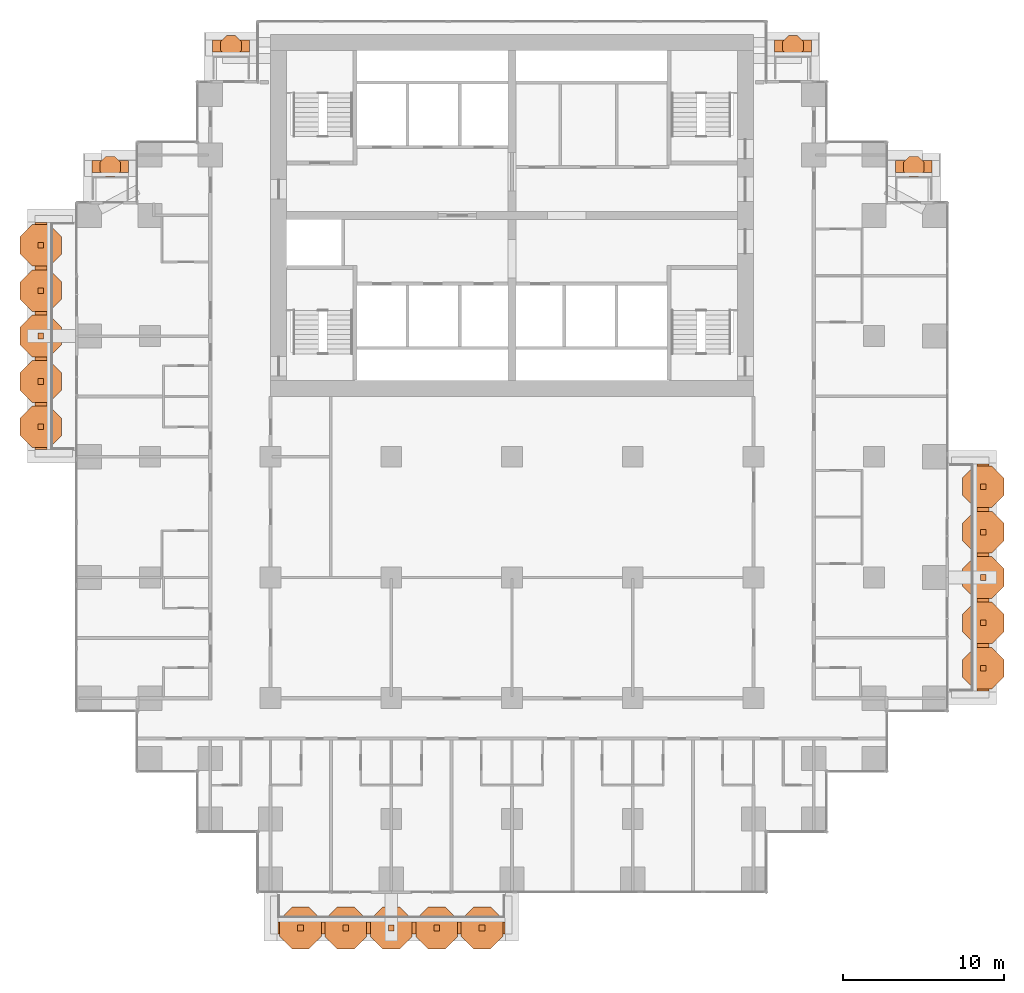
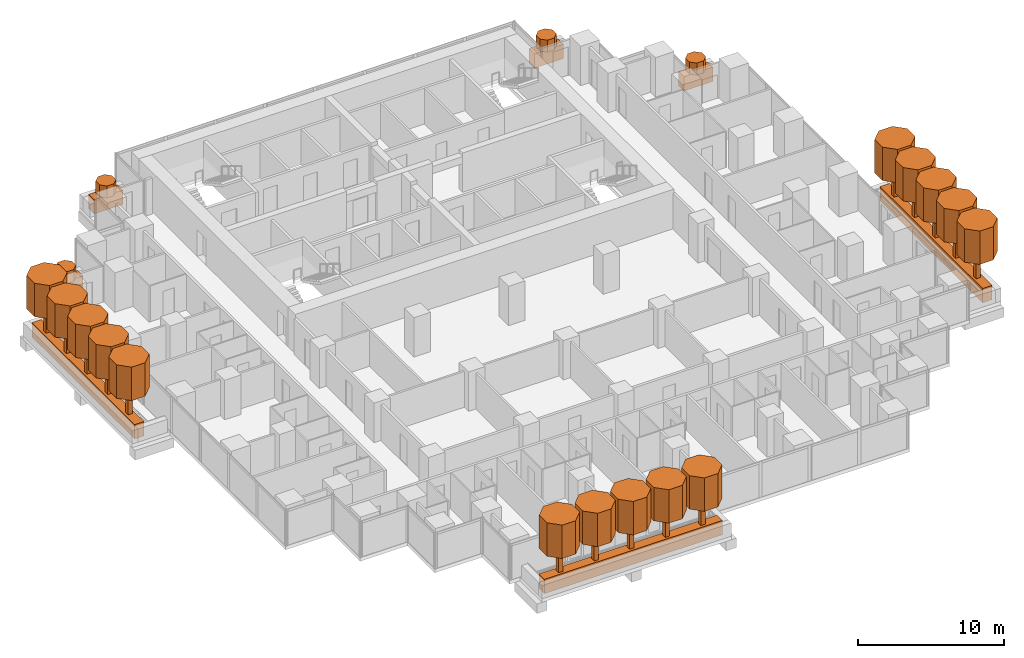
# One storey, part 19 of 19: 41 geographic elements.
"""IFC4 building model written with IfcOpenShell, lengths in metres."""

from ifc_helpers import new_model, si_unit, direction, frame, origin, origin_2d, place, context, subcontext, project, spatial, polyline, rectangle, outline, extrude, material, material_profile, profile_set, type_object, element, save


model = new_model("IFC4")

# Units and contexts
model_context = context("Model", 3, precision=1e-05, world=origin(), true_north=direction((0.0, 1.0)))
body_context = subcontext(model_context, "Body", "Model", "MODEL_VIEW")
ifc_project = project(units=[si_unit("LENGTHUNIT", "METRE"), si_unit("AREAUNIT", "SQUARE_METRE"), si_unit("VOLUMEUNIT", "CUBIC_METRE"), si_unit("PLANEANGLEUNIT", "RADIAN"), si_unit("MASSUNIT", "GRAM", prefix="KILO")], contexts=[model_context])

# Site, building, storey
site_placement = place(None, origin())
site = spatial("IfcSite", under=ifc_project, at=site_placement, CompositionType="ELEMENT")
building_placement = place(site_placement, origin())
building = spatial("IfcBuilding", under=site, at=building_placement, Name="Pilkhan Gate Tower", CompositionType="ELEMENT")
storey_placement = place(building_placement, frame((0.0, 0.0, 89.0)))
storey = spatial("IfcBuildingStorey", under=building, at=storey_placement, Name="L21", CompositionType="ELEMENT", Elevation=89.0)

# Geographic elements
ifc_material_1 = material(Name="Foliage")
ifc_material_profile_1 = material_profile(ifc_material_1, rectangle(XDim=0.75, YDim=1.199951171875, at=origin_2d()), Name="Bed 750x1200")
ifc_profile_set_1 = profile_set([ifc_material_profile_1], Name="Foliage")
geographic_element_type_1 = type_object("IfcGeographicElementType", Name="Planting bed PB1", PredefinedType="USERDEFINED", material=ifc_profile_set_1)
for number, where, z_axis, x_axis, name in (
    (1, (60.449951171875, 38.22509765625, 0.60009765625), (1.0, 0.0, 0.0), (0.0, 1.0, 0.0), "Balcony L21 S planting bed"),
    (2, (104.27490234375, 52.949951171875, 0.60009765625), (0.0, 1.0, 0.0), (-1.0, 0.0, 0.0), "Balcony L21 E planting bed"),
):
    element("IfcGeographicElement", number, at=place(storey_placement, frame(where, z_axis=z_axis, x_axis=x_axis)), inside=storey, type_object=geographic_element_type_1, Name=name, ObjectType="PLANTING BED", PredefinedType="USERDEFINED", context=body_context, shape_type="SweptSolid", body=[
        extrude(rectangle(XDim=0.75, YDim=1.199951171875, at=origin_2d()), origin(), (0.0, 0.0, 1.0), 14.10009765625),
    ])
for number, where, z_axis, x_axis, name in (
    (3, (56.39990234375, 93.02490234375, 0.60009765625), (1.0, 0.0, 0.0), (0.0, 1.0, 0.0), "Balcony L21 N planting bed"),
    (4, (91.300048828125, 93.02490234375, 0.60009765625), (1.0, 0.0, 0.0), (0.0, 1.0, 0.0), "Balcony L21 N planting bed"),
):
    element("IfcGeographicElement", number, at=place(storey_placement, frame(where, z_axis=z_axis, x_axis=x_axis)), inside=storey, type_object=geographic_element_type_1, Name=name, ObjectType="PLANTING BED", PredefinedType="USERDEFINED", context=body_context, shape_type="SweptSolid", body=[
        extrude(rectangle(XDim=0.75, YDim=1.199951171875, at=origin_2d()), origin(), (0.0, 0.0, 1.0), 2.300048828125),
    ])
for number, where, z_axis, x_axis, name in (
    (5, (48.89990234375, 85.52490234375, 0.60009765625), (1.0, 0.0, 0.0), (0.0, 1.0, 0.0), "Balcony L21 N planting bed"),
    (6, (98.820068359375, 85.52490234375, 0.60009765625), (1.0, 0.0, 0.0), (0.0, 1.0, 0.0), "Balcony L21 N planting bed"),
):
    element("IfcGeographicElement", number, at=place(storey_placement, frame(where, z_axis=z_axis, x_axis=x_axis)), inside=storey, type_object=geographic_element_type_1, Name=name, ObjectType="PLANTING BED", PredefinedType="USERDEFINED", context=body_context, shape_type="SweptSolid", body=[
        extrude(rectangle(XDim=0.75, YDim=1.199951171875, at=origin_2d()), origin(), (0.0, 0.0, 1.0), 2.280029296875),
    ])
geographic_element_placement = place(storey_placement, frame((45.72509765625, 67.949951171875, 0.60009765625), z_axis=(0.0, 1.0, 0.0), x_axis=(-1.0, 0.0, 0.0)))
element("IfcGeographicElement", 7, at=geographic_element_placement, inside=storey, type_object=geographic_element_type_1, Name="Balcony L21 W planting bed", ObjectType="PLANTING BED", PredefinedType="USERDEFINED", context=body_context, shape_type="SweptSolid", body=[
    extrude(rectangle(XDim=0.75, YDim=1.199951171875, at=origin_2d()), origin(), (0.0, 0.0, 1.0), 14.10009765625),
])
ifc_material_profile_2 = material_profile(ifc_material_1, outline(polyline([(0.646728515625, 0.267822265625), (0.267822265625, 0.646728515625), (-0.267822265625, 0.646728515625), (-0.646728515625, 0.267822265625), (-0.646728515625, -0.267822265625), (-0.267822265625, -0.646728515625), (0.267822265625, -0.646728515625), (0.646728515625, -0.267822265625), (0.646728515625, 0.267822265625)])), Name="Shrub D1.4")
ifc_profile_set_2 = profile_set([ifc_material_profile_2], Name="Foliage")
geographic_element_type_2 = type_object("IfcGeographicElementType", Name="Shrub SH07", PredefinedType="USERDEFINED", material=ifc_profile_set_2)
for number, where, z_axis, x_axis, name in (
    (8, (57.550048828125, 93.02490234375, 1.199951171875), (0.0, 0.0, 1.0), (1.0, 0.0, 0.0), "Shrub L21 N 1"),
    (9, (92.449951171875, 93.02490234375, 1.199951171875), (0.0, 0.0, 1.0), (1.0, 0.0, 0.0), "Shrub L21 N 1"),
    (10, (50.0400390625, 85.52490234375, 1.199951171875), (0.0, 0.0, 1.0), (1.0, 0.0, 0.0), "Shrub L21 N 1"),
    (11, (99.9599609375, 85.52490234375, 1.199951171875), (0.0, 0.0, 1.0), (1.0, 0.0, 0.0), "Shrub L21 N 1"),
):
    element("IfcGeographicElement", number, at=place(storey_placement, frame(where, z_axis=z_axis, x_axis=x_axis)), inside=storey, type_object=geographic_element_type_2, Name=name, ObjectType="SHRUB", PredefinedType="USERDEFINED", context=body_context, shape_type="SweptSolid", body=[
        extrude(outline(polyline([(0.646728515625, 0.267822265625), (0.267822265625, 0.646728515625), (-0.267822265625, 0.646728515625), (-0.646728515625, 0.267822265625), (-0.646728515625, -0.267822265625), (-0.267822265625, -0.646728515625), (0.267822265625, -0.646728515625), (0.646728515625, -0.267822265625), (0.646728515625, 0.267822265625)])), origin(), (0.0, 0.0, 1.0), 1.0),
    ])
ifc_material_profile_3 = material_profile(ifc_material_1, outline(polyline([(1.29345703125, 0.535888671875), (0.535888671875, 1.29345703125), (-0.535888671875, 1.29345703125), (-1.29345703125, 0.535888671875), (-1.29345703125, -0.535888671875), (-0.535888671875, -1.29345703125), (0.535888671875, -1.29345703125), (1.29345703125, -0.535888671875), (1.29345703125, 0.535888671875)])), Name="Canopy D2.8")
ifc_profile_set_3 = profile_set([ifc_material_profile_3], Name="Foliage")
geographic_element_type_3 = type_object("IfcGeographicElementType", Name="Tree canopy TC14", PredefinedType="USERDEFINED", material=ifc_profile_set_3)
for number, where, z_axis, x_axis, name in (
    (12, (61.860107421875, 38.22509765625, 3.199951171875), (0.0, 0.0, 1.0), (1.0, 0.0, 0.0), "Tree L21 S 1 canopy"),
    (13, (64.679931640625, 38.22509765625, 3.199951171875), (0.0, 0.0, 1.0), (1.0, 0.0, 0.0), "Tree L21 S 2 canopy"),
    (14, (67.5, 38.22509765625, 3.199951171875), (0.0, 0.0, 1.0), (1.0, 0.0, 0.0), "Tree L21 S 3 canopy"),
    (15, (70.320068359375, 38.22509765625, 3.199951171875), (0.0, 0.0, 1.0), (1.0, 0.0, 0.0), "Tree L21 S 4 canopy"),
    (16, (73.139892578125, 38.22509765625, 3.199951171875), (0.0, 0.0, 1.0), (1.0, 0.0, 0.0), "Tree L21 S 5 canopy"),
    (17, (104.27490234375, 54.360107421875, 3.199951171875), (0.0, 0.0, 1.0), (1.0, 0.0, 0.0), "Tree L21 E 1 canopy"),
    (18, (104.27490234375, 57.179931640625, 3.199951171875), (0.0, 0.0, 1.0), (1.0, 0.0, 0.0), "Tree L21 E 2 canopy"),
    (19, (104.27490234375, 60.0, 3.199951171875), (0.0, 0.0, 1.0), (1.0, 0.0, 0.0), "Tree L21 E 3 canopy"),
    (20, (104.27490234375, 62.820068359375, 3.199951171875), (0.0, 0.0, 1.0), (1.0, 0.0, 0.0), "Tree L21 E 4 canopy"),
    (21, (104.27490234375, 65.639892578125, 3.199951171875), (0.0, 0.0, 1.0), (1.0, 0.0, 0.0), "Tree L21 E 5 canopy"),
    (22, (45.72509765625, 69.360107421875, 3.199951171875), (0.0, 0.0, 1.0), (1.0, 0.0, 0.0), "Tree L21 W 1 canopy"),
    (23, (45.72509765625, 72.179931640625, 3.199951171875), (0.0, 0.0, 1.0), (1.0, 0.0, 0.0), "Tree L21 W 2 canopy"),
    (24, (45.72509765625, 75.0, 3.199951171875), (0.0, 0.0, 1.0), (1.0, 0.0, 0.0), "Tree L21 W 3 canopy"),
    (25, (45.72509765625, 77.820068359375, 3.199951171875), (0.0, 0.0, 1.0), (1.0, 0.0, 0.0), "Tree L21 W 4 canopy"),
    (26, (45.72509765625, 80.639892578125, 3.199951171875), (0.0, 0.0, 1.0), (1.0, 0.0, 0.0), "Tree L21 W 5 canopy"),
):
    element("IfcGeographicElement", number, at=place(storey_placement, frame(where, z_axis=z_axis, x_axis=x_axis)), inside=storey, type_object=geographic_element_type_3, Name=name, ObjectType="TREE", PredefinedType="USERDEFINED", context=body_context, shape_type="SweptSolid", body=[
        extrude(outline(polyline([(1.29345703125, 0.535888671875), (0.535888671875, 1.29345703125), (-0.535888671875, 1.29345703125), (-1.29345703125, 0.535888671875), (-1.29345703125, -0.535888671875), (-0.535888671875, -1.29345703125), (0.535888671875, -1.29345703125), (1.29345703125, -0.535888671875), (1.29345703125, 0.535888671875)])), origin(), (0.0, 0.0, 1.0), 2.800048828125),
    ])
ifc_material_2 = material(Name="Timber trunk", Category="wood")
geographic_element_type_4 = type_object("IfcGeographicElementType", Name="Tree trunk TT1", PredefinedType="USERDEFINED", material=ifc_material_2)
for number, where, z_axis, x_axis, name in (
    (27, (61.860107421875, 38.22509765625, 1.199951171875), (0.0, 0.0, 1.0), (1.0, 0.0, 0.0), "Tree L21 S 1 trunk"),
    (28, (64.679931640625, 38.22509765625, 1.199951171875), (0.0, 0.0, 1.0), (1.0, 0.0, 0.0), "Tree L21 S 2 trunk"),
    (29, (67.5, 38.22509765625, 1.199951171875), (0.0, 0.0, 1.0), (1.0, 0.0, 0.0), "Tree L21 S 3 trunk"),
    (30, (70.320068359375, 38.22509765625, 1.199951171875), (0.0, 0.0, 1.0), (1.0, 0.0, 0.0), "Tree L21 S 4 trunk"),
    (31, (73.139892578125, 38.22509765625, 1.199951171875), (0.0, 0.0, 1.0), (1.0, 0.0, 0.0), "Tree L21 S 5 trunk"),
    (32, (104.27490234375, 54.360107421875, 1.199951171875), (0.0, 0.0, 1.0), (1.0, 0.0, 0.0), "Tree L21 E 1 trunk"),
    (33, (104.27490234375, 57.179931640625, 1.199951171875), (0.0, 0.0, 1.0), (1.0, 0.0, 0.0), "Tree L21 E 2 trunk"),
    (34, (104.27490234375, 60.0, 1.199951171875), (0.0, 0.0, 1.0), (1.0, 0.0, 0.0), "Tree L21 E 3 trunk"),
    (35, (104.27490234375, 62.820068359375, 1.199951171875), (0.0, 0.0, 1.0), (1.0, 0.0, 0.0), "Tree L21 E 4 trunk"),
    (36, (104.27490234375, 65.639892578125, 1.199951171875), (0.0, 0.0, 1.0), (1.0, 0.0, 0.0), "Tree L21 E 5 trunk"),
    (37, (45.72509765625, 69.360107421875, 1.199951171875), (0.0, 0.0, 1.0), (1.0, 0.0, 0.0), "Tree L21 W 1 trunk"),
    (38, (45.72509765625, 72.179931640625, 1.199951171875), (0.0, 0.0, 1.0), (1.0, 0.0, 0.0), "Tree L21 W 2 trunk"),
    (39, (45.72509765625, 75.0, 1.199951171875), (0.0, 0.0, 1.0), (1.0, 0.0, 0.0), "Tree L21 W 3 trunk"),
    (40, (45.72509765625, 77.820068359375, 1.199951171875), (0.0, 0.0, 1.0), (1.0, 0.0, 0.0), "Tree L21 W 4 trunk"),
    (41, (45.72509765625, 80.639892578125, 1.199951171875), (0.0, 0.0, 1.0), (1.0, 0.0, 0.0), "Tree L21 W 5 trunk"),
):
    element("IfcGeographicElement", number, at=place(storey_placement, frame(where, z_axis=z_axis, x_axis=x_axis)), inside=storey, type_object=geographic_element_type_4, Name=name, ObjectType="TREE", PredefinedType="USERDEFINED", context=body_context, shape_type="SweptSolid", body=[
        extrude(rectangle(XDim=0.35009765625, YDim=0.35009765625, at=origin_2d()), origin(), (0.0, 0.0, 1.0), 2.0),
    ])

save(model, "model.ifc")
